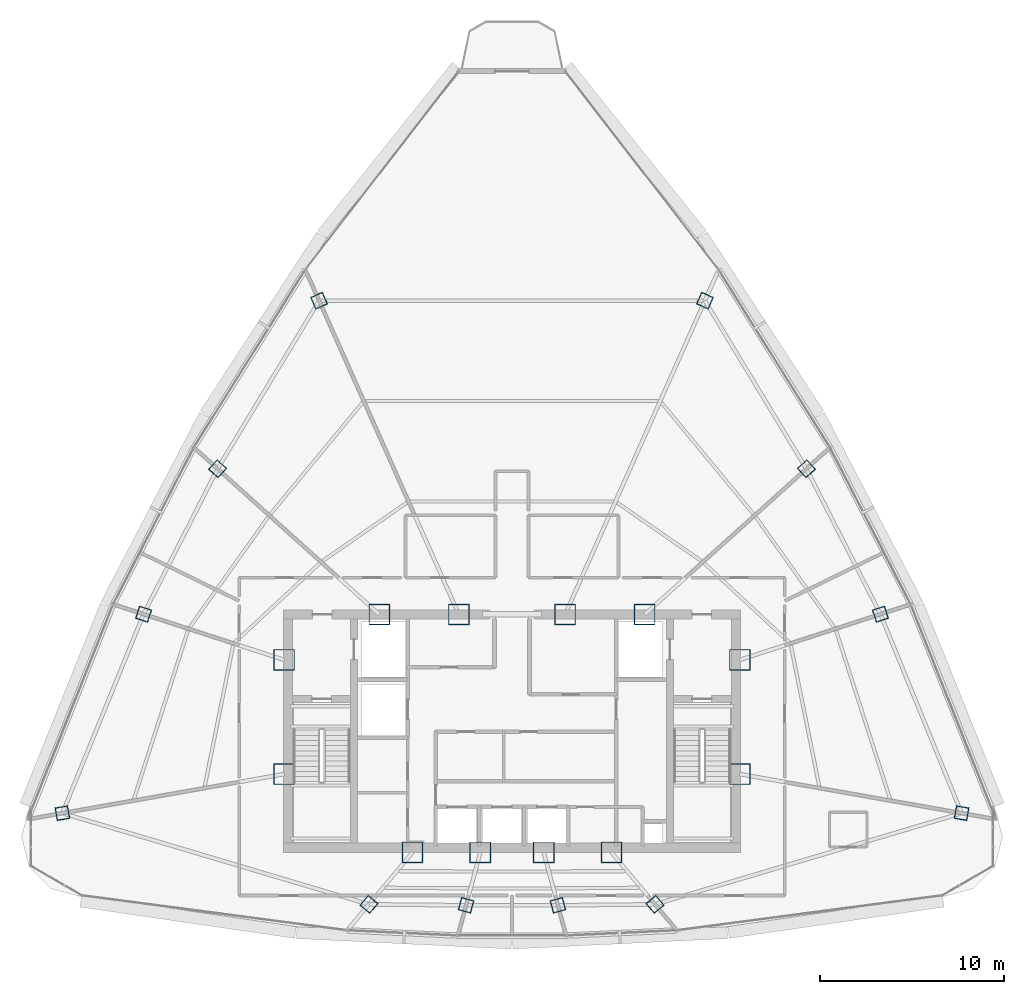
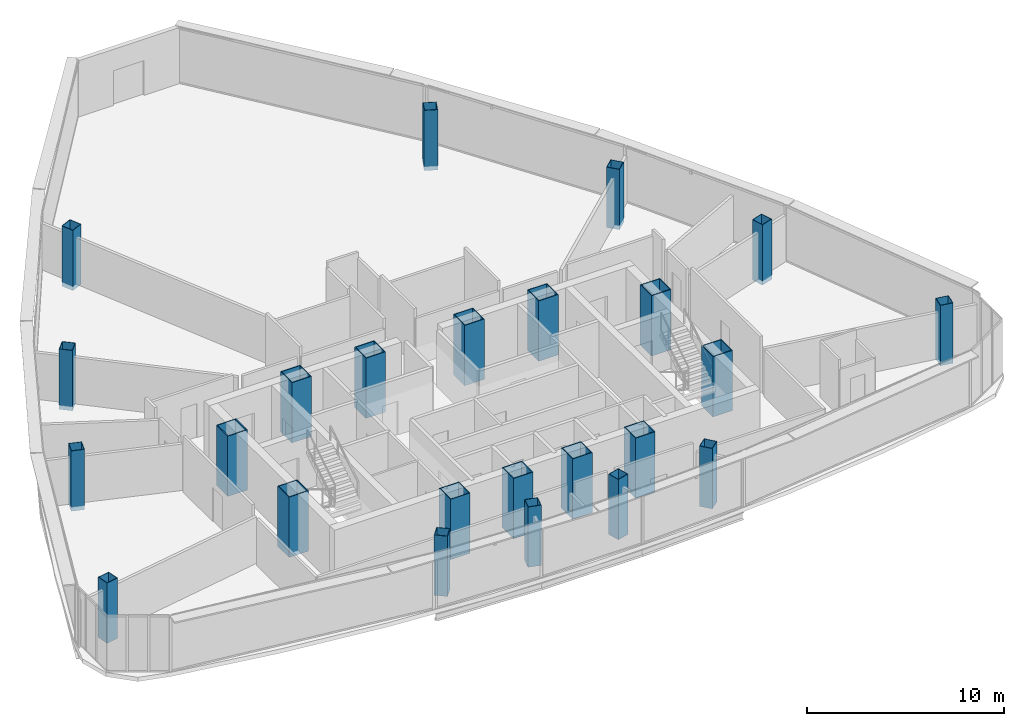
# One storey, part 1 of 29: 24 columns.
"""IFC4 building model written with IfcOpenShell, lengths in metres."""

from ifc_helpers import new_model, si_unit, direction, frame, origin, origin_2d, place, context, subcontext, project, spatial, hollow_rectangle, extrude, source, transform, mapped, material, material_profile, profile_set, type_object, element, save


model = new_model("IFC4")

# Units and contexts
model_context = context("Model", 3, precision=1e-05, world=origin(), true_north=direction((0.0, 1.0)))
body_context = subcontext(model_context, "Body", "Model", "MODEL_VIEW")
ifc_project = project(units=[si_unit("LENGTHUNIT", "METRE"), si_unit("AREAUNIT", "SQUARE_METRE"), si_unit("VOLUMEUNIT", "CUBIC_METRE"), si_unit("PLANEANGLEUNIT", "RADIAN"), si_unit("MASSUNIT", "GRAM", prefix="KILO"), si_unit("THERMODYNAMICTEMPERATUREUNIT", "KELVIN"), si_unit("POWERUNIT", "WATT")], contexts=[model_context])

# Site, building, storey
site_placement = place(None, origin())
site = spatial("IfcSite", under=ifc_project, at=site_placement, CompositionType="ELEMENT")
building_placement = place(site_placement, origin())
building = spatial("IfcBuilding", under=site, at=building_placement, Name="Yunzhuo Pagoda Commons", CompositionType="ELEMENT")
storey_placement = place(building_placement, frame((0.0, 0.0, 363.010009765625)))
storey = spatial("IfcBuildingStorey", under=building, at=storey_placement, Name="L91", CompositionType="ELEMENT", Elevation=363.010009765625)

# Columns
ifc_material_1 = material(Name="Structural steel Q420B", Category="steel")
ifc_material_profile_1 = material_profile(ifc_material_1, hollow_rectangle(XDim=1.14990234375, YDim=1.14990234375, WallThickness=0.048095703125, at=origin_2d()), Name="Structural steel Q420B")
ifc_profile_set_1 = profile_set([ifc_material_profile_1], Name="Structural steel Q420B")
column_type_1 = type_object("IfcColumnType", Name="C-COR Column BOX 1150x1150x48", PredefinedType="COLUMN", material=ifc_profile_set_1)
shared_shape_1 = source(origin(), body_context, "Body", "SweptSolid", [
    extrude(hollow_rectangle(XDim=1.14990234375, YDim=1.14990234375, WallThickness=0.048095703125, at=origin_2d()), origin(), (0.0, 0.0, 1.0), 3.730224609375),
])
for number, where, z_axis, x_axis, name in (
    (1, (42.587890625, 27.25, -0.260009765625), (0.0, 0.0, 1.0), (1.0, 0.0, 0.0), "L91 core composite column F1C1"),
    (2, (46.27197265625, 27.25, -0.260009765625), (0.0, 0.0, 1.0), (1.0, 0.0, 0.0), "L91 core composite column F1C2"),
    (3, (49.728515625, 27.25, -0.260009765625), (0.0, 0.0, 1.0), (1.0, 0.0, 0.0), "L91 core composite column F1C3"),
    (4, (53.412109375, 27.25, -0.260009765625), (0.0, 0.0, 1.0), (1.0, 0.0, 0.0), "L91 core composite column F1C4"),
    (5, (60.39990234375, 31.513427734375, -0.260009765625), (0.0, 0.0, 1.0), (1.0, 0.0, 0.0), "L91 core composite column F2C1"),
    (6, (60.39990234375, 37.72900390625, -0.260009765625), (0.0, 0.0, 1.0), (1.0, 0.0, 0.0), "L91 core composite column F2C2"),
    (7, (55.218994140625, 40.199951171875, -0.260009765625), (0.0, 0.0, 1.0), (1.0, 0.0, 0.0), "L91 core composite column F2C3"),
    (8, (50.89404296875, 40.199951171875, -0.260009765625), (0.0, 0.0, 1.0), (1.0, 0.0, 0.0), "L91 core composite column F2C4"),
    (9, (45.10595703125, 40.199951171875, -0.260009765625), (0.0, 0.0, 1.0), (1.0, 0.0, 0.0), "L91 core composite column F3C1"),
    (10, (40.781005859375, 40.199951171875, -0.260009765625), (0.0, 0.0, 1.0), (1.0, 0.0, 0.0), "L91 core composite column F3C2"),
    (11, (35.60009765625, 37.72900390625, -0.260009765625), (0.0, 0.0, 1.0), (1.0, 0.0, 0.0), "L91 core composite column F3C3"),
    (12, (35.60009765625, 31.513427734375, -0.260009765625), (0.0, 0.0, 1.0), (1.0, 0.0, 0.0), "L91 core composite column F3C4"),
):
    element("IfcColumn", number, at=place(storey_placement, frame(where, z_axis=z_axis, x_axis=x_axis)), inside=storey, type_object=column_type_1, Name=name, PredefinedType="COLUMN", context=body_context, shape_type="MappedRepresentation", body=[
        mapped(shared_shape_1, transform((0.0, 0.0, 0.0), scale=1.0)),
    ])
ifc_material_2 = material(Name="Structural steel Q355B", Category="steel")
ifc_material_profile_2 = material_profile(ifc_material_2, hollow_rectangle(XDim=0.699951171875, YDim=0.699951171875, WallThickness=0.02587890625, at=origin_2d()), Name="Structural steel Q355B")
ifc_profile_set_2 = profile_set([ifc_material_profile_2], Name="Structural steel Q355B")
column_type_2 = type_object("IfcColumnType", Name="C-Z7 Column BOX 700x700x26", PredefinedType="COLUMN", material=ifc_profile_set_2)
shared_shape_2 = source(origin(), body_context, "Body", "SweptSolid", [
    extrude(hollow_rectangle(XDim=0.699951171875, YDim=0.699951171875, WallThickness=0.02587890625, at=origin_2d()), origin(), (0.0, 0.0, 1.0), 3.730224609375),
])
for number, where, z_axis, x_axis, name in (
    (13, (40.214599609375, 24.421630859375, -0.260009765625), (0.0, 0.0, 1.0), (0.766044443119, -0.642787609687, 0.0), "L91 tower column F1C1"),
    (14, (45.500732421875, 24.372802734375, -0.260009765625), (0.0, 0.0, 1.0), (0.965925826289, -0.258819045103, 0.0), "L91 tower column F1C2"),
    (15, (50.499267578125, 24.372802734375, -0.260009765625), (0.0, 0.0, 1.0), (0.965925826289, 0.258819045103, 0.0), "L91 tower column F1C3"),
    (16, (55.785400390625, 24.421630859375, -0.260009765625), (0.0, 0.0, 1.0), (0.766044443119, 0.642787609687, 0.0), "L91 tower column F1C4"),
    (17, (72.47021484375, 29.38525390625, -0.260009765625), (0.0, 0.0, 1.0), (0.173648177667, 0.984807753012, 0.0), "L91 tower column F2C1"),
    (18, (68.053466796875, 40.2158203125, -0.260009765625), (0.0, 0.0, 1.0), (-0.309016994375, 0.951056516295, 0.0), "L91 tower column F2C2"),
    (19, (64.024658203125, 48.128662109375, -0.260009765625), (0.0, 0.0, 1.0), (-0.669130606359, 0.743144825477, 0.0), "L91 tower column F2C3"),
    (20, (58.498779296875, 57.281005859375, -0.260009765625), (0.0, 0.0, 1.0), (-0.913545457643, 0.406736643076, 0.0), "L91 tower column F2C4"),
    (21, (37.501220703125, 57.281005859375, -0.260009765625), (0.0, 0.0, 1.0), (-0.913545457643, -0.406736643076, 0.0), "L91 tower column F3C1"),
    (22, (31.975341796875, 48.128662109375, -0.260009765625), (0.0, 0.0, 1.0), (-0.669130606359, -0.743144825477, 0.0), "L91 tower column F3C2"),
    (23, (27.946533203125, 40.2158203125, -0.260009765625), (0.0, 0.0, 1.0), (-0.309016994375, -0.951056516295, 0.0), "L91 tower column F3C3"),
    (24, (23.52978515625, 29.38525390625, -0.260009765625), (0.0, 0.0, 1.0), (0.173648177667, -0.984807753012, 0.0), "L91 tower column F3C4"),
):
    element("IfcColumn", number, at=place(storey_placement, frame(where, z_axis=z_axis, x_axis=x_axis)), inside=storey, type_object=column_type_2, Name=name, PredefinedType="COLUMN", context=body_context, shape_type="MappedRepresentation", body=[
        mapped(shared_shape_2, transform((0.0, 0.0, 0.0), scale=1.0)),
    ])

save(model, "model.ifc")
